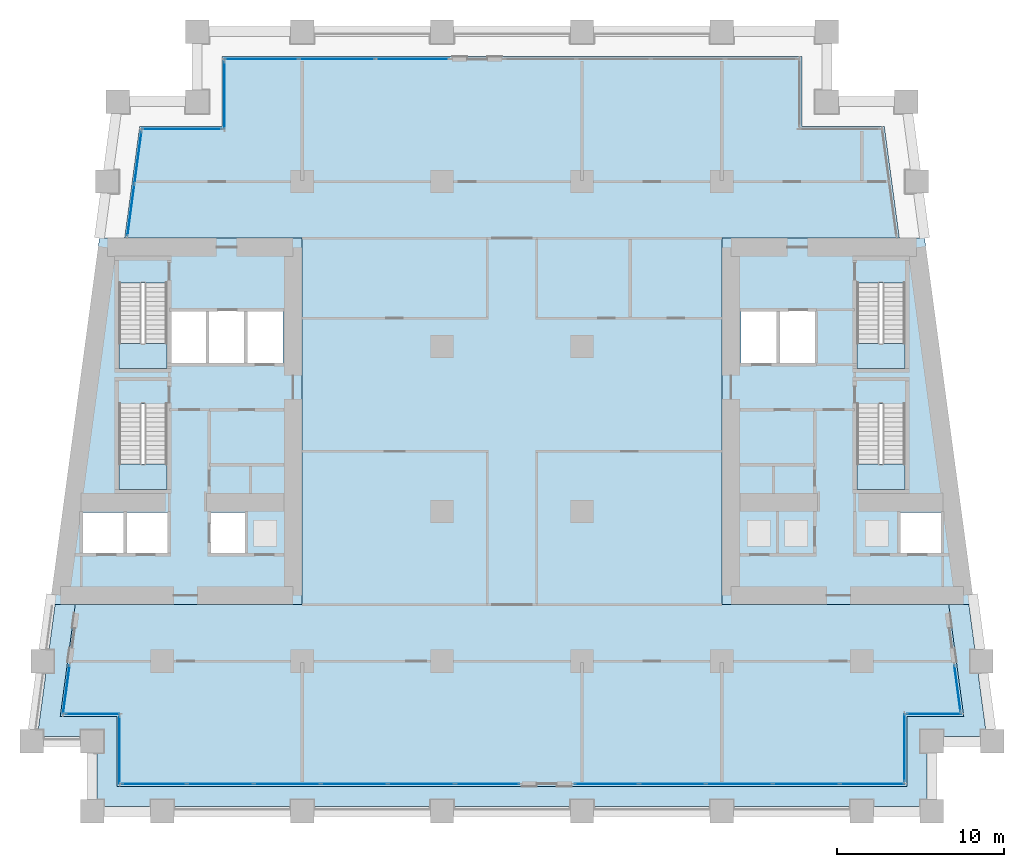
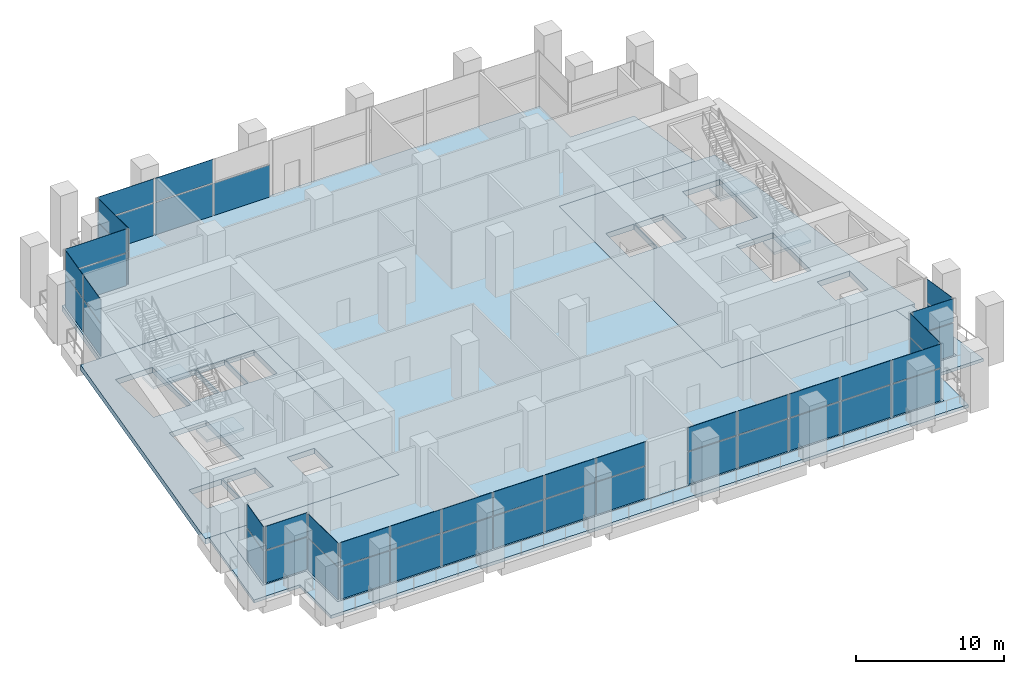
# One storey, part 6 of 15: 47 plates, 8 slabs, 16 elements without a shape of their own.
"""IFC4 building model written with IfcOpenShell, lengths in metres."""

from ifc_helpers import new_model, si_unit, direction, frame, origin, origin_2d, place, context, subcontext, project, spatial, polyline, rectangle, outline, extrude, material, layer, layer_set, type_object, element, aggregate, save


model = new_model("IFC4")

# Units and contexts
model_context = context("Model", 3, precision=1e-05, world=origin(), true_north=direction((0.0, 1.0)))
body_context = subcontext(model_context, "Body", "Model", "MODEL_VIEW")
ifc_project = project(units=[si_unit("LENGTHUNIT", "METRE"), si_unit("AREAUNIT", "SQUARE_METRE"), si_unit("VOLUMEUNIT", "CUBIC_METRE"), si_unit("PLANEANGLEUNIT", "RADIAN"), si_unit("MASSUNIT", "GRAM", prefix="KILO")], contexts=[model_context])

# Site, building, storey
site_placement = place(None, origin())
site = spatial("IfcSite", under=ifc_project, at=site_placement, CompositionType="ELEMENT")
building_placement = place(site_placement, origin())
building = spatial("IfcBuilding", under=site, at=building_placement, Name="Candeia Pilgrim Tower and Theatre", CompositionType="ELEMENT")
storey_placement = place(building_placement, frame((0.0, 0.0, 86.0)))
storey = spatial("IfcBuildingStorey", under=building, at=storey_placement, Name="L19", CompositionType="ELEMENT", Elevation=86.0)

# Curtain wall, plates
ifc_material_1 = material(Name="Aluminium framed sky lobby glazing", Category="aluminium")
curtain_wall_type = type_object("IfcCurtainWallType", Name="CW-S curtain wall", PredefinedType="NOTDEFINED", material=ifc_material_1)
curtain_wall_1_placement = place(storey_placement, origin())
curtain_wall_1 = element("IfcCurtainWall", 1, at=curtain_wall_1_placement, inside=storey, type_object=curtain_wall_type, Name="Curtain wall CW-S L19.000", PredefinedType="NOTDEFINED")
ifc_material_2 = material(Name="Laminated glass 2 x 6 mm", Category="glass")
ifc_layer_1 = layer(ifc_material_2, 0.031982421875)
ifc_layer_set_1 = layer_set([ifc_layer_1], Name="CW-S glass panel 32")
plate_type = type_object("IfcPlateType", Name="CW-S glass panel 32", PredefinedType="CURTAIN_PANEL", material=ifc_layer_set_1)
plate_1_placement = place(storey_placement, frame((91.925048828125, 99.64990234375, 0.0), z_axis=(0.0, 0.0, 1.0), x_axis=(1.0, 0.0, 0.0)))
plate_1 = element("IfcPlate", 2, at=plate_1_placement, type_object=plate_type, Name="CW-S panel 1.1", PredefinedType="CURTAIN_PANEL", context=body_context, shape_type="SweptSolid", body=[
    extrude(rectangle(XDim=3.820068359375, YDim=0.031982421875, at=origin_2d()), origin(), (0.0, 0.0, 1.0), 2.659912109375),
])
plate_2_placement = place(storey_placement, frame((91.925048828125, 99.64990234375, 2.739990234375), z_axis=(0.0, 0.0, 1.0), x_axis=(1.0, 0.0, 0.0)))
plate_2 = element("IfcPlate", 3, at=plate_2_placement, type_object=plate_type, Name="CW-S panel 1.2", PredefinedType="CURTAIN_PANEL", context=body_context, shape_type="SweptSolid", body=[
    extrude(rectangle(XDim=3.820068359375, YDim=0.031982421875, at=origin_2d()), origin(), (0.0, 0.0, 1.0), 1.93994140625),
])
plate_3_placement = place(storey_placement, frame((95.887451171875, 99.64990234375, 0.0), z_axis=(0.0, 0.0, 1.0), x_axis=(1.0, 0.0, 0.0)))
plate_3 = element("IfcPlate", 4, at=plate_3_placement, type_object=plate_type, Name="CW-S panel 2.1", PredefinedType="CURTAIN_PANEL", context=body_context, shape_type="SweptSolid", body=[
    extrude(rectangle(XDim=3.945068359375, YDim=0.031982421875, at=origin_2d()), origin(), (0.0, 0.0, 1.0), 2.659912109375),
])
plate_4_placement = place(storey_placement, frame((95.887451171875, 99.64990234375, 2.739990234375), z_axis=(0.0, 0.0, 1.0), x_axis=(1.0, 0.0, 0.0)))
plate_4 = element("IfcPlate", 5, at=plate_4_placement, type_object=plate_type, Name="CW-S panel 2.2", PredefinedType="CURTAIN_PANEL", context=body_context, shape_type="SweptSolid", body=[
    extrude(rectangle(XDim=3.945068359375, YDim=0.031982421875, at=origin_2d()), origin(), (0.0, 0.0, 1.0), 1.93994140625),
])
plate_5_placement = place(storey_placement, frame((99.91259765625, 99.64990234375, 0.0), z_axis=(0.0, 0.0, 1.0), x_axis=(1.0, 0.0, 0.0)))
plate_5 = element("IfcPlate", 6, at=plate_5_placement, type_object=plate_type, Name="CW-S panel 3.1", PredefinedType="CURTAIN_PANEL", context=body_context, shape_type="SweptSolid", body=[
    extrude(rectangle(XDim=3.945068359375, YDim=0.031982421875, at=origin_2d()), origin(), (0.0, 0.0, 1.0), 2.659912109375),
])
plate_6_placement = place(storey_placement, frame((99.91259765625, 99.64990234375, 2.739990234375), z_axis=(0.0, 0.0, 1.0), x_axis=(1.0, 0.0, 0.0)))
plate_6 = element("IfcPlate", 7, at=plate_6_placement, type_object=plate_type, Name="CW-S panel 3.2", PredefinedType="CURTAIN_PANEL", context=body_context, shape_type="SweptSolid", body=[
    extrude(rectangle(XDim=3.945068359375, YDim=0.031982421875, at=origin_2d()), origin(), (0.0, 0.0, 1.0), 1.93994140625),
])
plate_7_placement = place(storey_placement, frame((103.9375, 99.64990234375, 0.0), z_axis=(0.0, 0.0, 1.0), x_axis=(1.0, 0.0, 0.0)))
plate_7 = element("IfcPlate", 8, at=plate_7_placement, type_object=plate_type, Name="CW-S panel 4.1", PredefinedType="CURTAIN_PANEL", context=body_context, shape_type="SweptSolid", body=[
    extrude(rectangle(XDim=3.945068359375, YDim=0.031982421875, at=origin_2d()), origin(), (0.0, 0.0, 1.0), 2.659912109375),
])
plate_8_placement = place(storey_placement, frame((103.9375, 99.64990234375, 2.739990234375), z_axis=(0.0, 0.0, 1.0), x_axis=(1.0, 0.0, 0.0)))
plate_8 = element("IfcPlate", 9, at=plate_8_placement, type_object=plate_type, Name="CW-S panel 4.2", PredefinedType="CURTAIN_PANEL", context=body_context, shape_type="SweptSolid", body=[
    extrude(rectangle(XDim=3.945068359375, YDim=0.031982421875, at=origin_2d()), origin(), (0.0, 0.0, 1.0), 1.93994140625),
])
plate_9_placement = place(storey_placement, frame((107.96240234375, 99.64990234375, 0.0), z_axis=(0.0, 0.0, 1.0), x_axis=(1.0, 0.0, 0.0)))
plate_9 = element("IfcPlate", 10, at=plate_9_placement, type_object=plate_type, Name="CW-S panel 5.1", PredefinedType="CURTAIN_PANEL", context=body_context, shape_type="SweptSolid", body=[
    extrude(rectangle(XDim=3.945068359375, YDim=0.031982421875, at=origin_2d()), origin(), (0.0, 0.0, 1.0), 2.659912109375),
])
plate_10_placement = place(storey_placement, frame((107.96240234375, 99.64990234375, 2.739990234375), z_axis=(0.0, 0.0, 1.0), x_axis=(1.0, 0.0, 0.0)))
plate_10 = element("IfcPlate", 11, at=plate_10_placement, type_object=plate_type, Name="CW-S panel 5.2", PredefinedType="CURTAIN_PANEL", context=body_context, shape_type="SweptSolid", body=[
    extrude(rectangle(XDim=3.945068359375, YDim=0.031982421875, at=origin_2d()), origin(), (0.0, 0.0, 1.0), 1.93994140625),
])
plate_11_placement = place(storey_placement, frame((111.925048828125, 99.64990234375, 0.0), z_axis=(0.0, 0.0, 1.0), x_axis=(1.0, 0.0, 0.0)))
plate_11 = element("IfcPlate", 12, at=plate_11_placement, type_object=plate_type, Name="CW-S panel 6.1", PredefinedType="CURTAIN_PANEL", context=body_context, shape_type="SweptSolid", body=[
    extrude(rectangle(XDim=3.820068359375, YDim=0.031982421875, at=origin_2d()), origin(), (0.0, 0.0, 1.0), 2.659912109375),
])
plate_12_placement = place(storey_placement, frame((111.925048828125, 99.64990234375, 2.739990234375), z_axis=(0.0, 0.0, 1.0), x_axis=(1.0, 0.0, 0.0)))
plate_12 = element("IfcPlate", 13, at=plate_12_placement, type_object=plate_type, Name="CW-S panel 6.2", PredefinedType="CURTAIN_PANEL", context=body_context, shape_type="SweptSolid", body=[
    extrude(rectangle(XDim=3.820068359375, YDim=0.031982421875, at=origin_2d()), origin(), (0.0, 0.0, 1.0), 1.93994140625),
])
aggregate(curtain_wall_1, [plate_1, plate_2, plate_3, plate_4, plate_5, plate_6, plate_7, plate_8, plate_9, plate_10, plate_11, plate_12])

curtain_wall_2_placement = place(storey_placement, origin())
curtain_wall_2 = element("IfcCurtainWall", 14, at=curtain_wall_2_placement, inside=storey, type_object=curtain_wall_type, Name="Curtain wall CW-S L19.002", PredefinedType="NOTDEFINED")
plate_13_placement = place(storey_placement, frame((119.072509765625, 99.64990234375, 0.0), z_axis=(0.0, 0.0, 1.0), x_axis=(1.0, 0.0, 0.0)))
plate_13 = element("IfcPlate", 15, at=plate_13_placement, type_object=plate_type, Name="CW-S panel 1.1", PredefinedType="CURTAIN_PANEL", context=body_context, shape_type="SweptSolid", body=[
    extrude(rectangle(XDim=3.81494140625, YDim=0.031982421875, at=origin_2d()), origin(), (0.0, 0.0, 1.0), 2.659912109375),
])
plate_14_placement = place(storey_placement, frame((119.072509765625, 99.64990234375, 2.739990234375), z_axis=(0.0, 0.0, 1.0), x_axis=(1.0, 0.0, 0.0)))
plate_14 = element("IfcPlate", 16, at=plate_14_placement, type_object=plate_type, Name="CW-S panel 1.2", PredefinedType="CURTAIN_PANEL", context=body_context, shape_type="SweptSolid", body=[
    extrude(rectangle(XDim=3.81494140625, YDim=0.031982421875, at=origin_2d()), origin(), (0.0, 0.0, 1.0), 1.93994140625),
])
plate_15_placement = place(storey_placement, frame((123.030029296875, 99.64990234375, 0.0), z_axis=(0.0, 0.0, 1.0), x_axis=(1.0, 0.0, 0.0)))
plate_15 = element("IfcPlate", 17, at=plate_15_placement, type_object=plate_type, Name="CW-S panel 2.1", PredefinedType="CURTAIN_PANEL", context=body_context, shape_type="SweptSolid", body=[
    extrude(rectangle(XDim=3.93994140625, YDim=0.031982421875, at=origin_2d()), origin(), (0.0, 0.0, 1.0), 2.659912109375),
])
plate_16_placement = place(storey_placement, frame((123.030029296875, 99.64990234375, 2.739990234375), z_axis=(0.0, 0.0, 1.0), x_axis=(1.0, 0.0, 0.0)))
plate_16 = element("IfcPlate", 18, at=plate_16_placement, type_object=plate_type, Name="CW-S panel 2.2", PredefinedType="CURTAIN_PANEL", context=body_context, shape_type="SweptSolid", body=[
    extrude(rectangle(XDim=3.93994140625, YDim=0.031982421875, at=origin_2d()), origin(), (0.0, 0.0, 1.0), 1.93994140625),
])
plate_17_placement = place(storey_placement, frame((127.050048828125, 99.64990234375, 0.0), z_axis=(0.0, 0.0, 1.0), x_axis=(1.0, 0.0, 0.0)))
plate_17 = element("IfcPlate", 19, at=plate_17_placement, type_object=plate_type, Name="CW-S panel 3.1", PredefinedType="CURTAIN_PANEL", context=body_context, shape_type="SweptSolid", body=[
    extrude(rectangle(XDim=3.93994140625, YDim=0.031982421875, at=origin_2d()), origin(), (0.0, 0.0, 1.0), 2.659912109375),
])
plate_18_placement = place(storey_placement, frame((127.050048828125, 99.64990234375, 2.739990234375), z_axis=(0.0, 0.0, 1.0), x_axis=(1.0, 0.0, 0.0)))
plate_18 = element("IfcPlate", 20, at=plate_18_placement, type_object=plate_type, Name="CW-S panel 3.2", PredefinedType="CURTAIN_PANEL", context=body_context, shape_type="SweptSolid", body=[
    extrude(rectangle(XDim=3.93994140625, YDim=0.031982421875, at=origin_2d()), origin(), (0.0, 0.0, 1.0), 1.93994140625),
])
plate_19_placement = place(storey_placement, frame((131.070068359375, 99.64990234375, 0.0), z_axis=(0.0, 0.0, 1.0), x_axis=(1.0, 0.0, 0.0)))
plate_19 = element("IfcPlate", 21, at=plate_19_placement, type_object=plate_type, Name="CW-S panel 4.1", PredefinedType="CURTAIN_PANEL", context=body_context, shape_type="SweptSolid", body=[
    extrude(rectangle(XDim=3.93994140625, YDim=0.031982421875, at=origin_2d()), origin(), (0.0, 0.0, 1.0), 2.659912109375),
])
plate_20_placement = place(storey_placement, frame((131.070068359375, 99.64990234375, 2.739990234375), z_axis=(0.0, 0.0, 1.0), x_axis=(1.0, 0.0, 0.0)))
plate_20 = element("IfcPlate", 22, at=plate_20_placement, type_object=plate_type, Name="CW-S panel 4.2", PredefinedType="CURTAIN_PANEL", context=body_context, shape_type="SweptSolid", body=[
    extrude(rectangle(XDim=3.93994140625, YDim=0.031982421875, at=origin_2d()), origin(), (0.0, 0.0, 1.0), 1.93994140625),
])
plate_21_placement = place(storey_placement, frame((135.027587890625, 99.64990234375, 0.0), z_axis=(0.0, 0.0, 1.0), x_axis=(1.0, 0.0, 0.0)))
plate_21 = element("IfcPlate", 23, at=plate_21_placement, type_object=plate_type, Name="CW-S panel 5.1", PredefinedType="CURTAIN_PANEL", context=body_context, shape_type="SweptSolid", body=[
    extrude(rectangle(XDim=3.81494140625, YDim=0.031982421875, at=origin_2d()), origin(), (0.0, 0.0, 1.0), 2.659912109375),
])
plate_22_placement = place(storey_placement, frame((135.027587890625, 99.64990234375, 2.739990234375), z_axis=(0.0, 0.0, 1.0), x_axis=(1.0, 0.0, 0.0)))
plate_22 = element("IfcPlate", 24, at=plate_22_placement, type_object=plate_type, Name="CW-S panel 5.2", PredefinedType="CURTAIN_PANEL", context=body_context, shape_type="SweptSolid", body=[
    extrude(rectangle(XDim=3.81494140625, YDim=0.031982421875, at=origin_2d()), origin(), (0.0, 0.0, 1.0), 1.93994140625),
])
aggregate(curtain_wall_2, [plate_13, plate_14, plate_15, plate_16, plate_17, plate_18, plate_19, plate_20, plate_21, plate_22])

curtain_wall_3_placement = place(storey_placement, origin())
curtain_wall_3 = element("IfcCurtainWall", 25, at=curtain_wall_3_placement, inside=storey, type_object=curtain_wall_type, Name="Curtain wall CW-S L19.100", PredefinedType="NOTDEFINED")
plate_23_placement = place(storey_placement, frame((136.949951171875, 101.824951171875, 0.0), z_axis=(0.0, 0.0, 1.0), x_axis=(0.0, 1.0, 0.0)))
plate_23 = element("IfcPlate", 26, at=plate_23_placement, type_object=plate_type, Name="CW-S panel 1.1", PredefinedType="CURTAIN_PANEL", context=body_context, shape_type="SweptSolid", body=[
    extrude(rectangle(XDim=4.02001953125, YDim=0.031982421875, at=origin_2d()), origin(), (0.0, 0.0, 1.0), 2.659912109375),
])
plate_24_placement = place(storey_placement, frame((136.949951171875, 101.824951171875, 2.739990234375), z_axis=(0.0, 0.0, 1.0), x_axis=(0.0, 1.0, 0.0)))
plate_24 = element("IfcPlate", 27, at=plate_24_placement, type_object=plate_type, Name="CW-S panel 1.2", PredefinedType="CURTAIN_PANEL", context=body_context, shape_type="SweptSolid", body=[
    extrude(rectangle(XDim=4.02001953125, YDim=0.031982421875, at=origin_2d()), origin(), (0.0, 0.0, 1.0), 1.93994140625),
])
aggregate(curtain_wall_3, [plate_23, plate_24])

curtain_wall_4_placement = place(storey_placement, origin())
curtain_wall_4 = element("IfcCurtainWall", 28, at=curtain_wall_4_placement, inside=storey, type_object=curtain_wall_type, Name="Curtain wall CW-S L19.200", PredefinedType="NOTDEFINED")
plate_25_placement = place(storey_placement, frame((138.734619140625, 103.85009765625, 0.0), z_axis=(0.0, 0.0, 1.0), x_axis=(1.0, 0.0, 0.0)))
plate_25 = element("IfcPlate", 29, at=plate_25_placement, type_object=plate_type, Name="CW-S panel 1.1", PredefinedType="CURTAIN_PANEL", context=body_context, shape_type="SweptSolid", body=[
    extrude(rectangle(XDim=3.2392578125, YDim=0.031982421875, at=origin_2d()), origin(), (0.0, 0.0, 1.0), 2.659912109375),
])
plate_26_placement = place(storey_placement, frame((138.734619140625, 103.85009765625, 2.739990234375), z_axis=(0.0, 0.0, 1.0), x_axis=(1.0, 0.0, 0.0)))
plate_26 = element("IfcPlate", 30, at=plate_26_placement, type_object=plate_type, Name="CW-S panel 1.2", PredefinedType="CURTAIN_PANEL", context=body_context, shape_type="SweptSolid", body=[
    extrude(rectangle(XDim=3.2392578125, YDim=0.031982421875, at=origin_2d()), origin(), (0.0, 0.0, 1.0), 1.93994140625),
])
aggregate(curtain_wall_4, [plate_25, plate_26])

curtain_wall_5_placement = place(storey_placement, origin())
curtain_wall_5 = element("IfcCurtainWall", 31, at=curtain_wall_5_placement, inside=storey, type_object=curtain_wall_type, Name="Curtain wall CW-S L19.300", PredefinedType="NOTDEFINED")
plate_27_placement = place(storey_placement, frame((140.141357421875, 105.381591796875, 0.0), z_axis=(0.0, 0.0, 1.0), x_axis=(-0.133412012145, 0.991060661622, 0.0)))
plate_27 = element("IfcPlate", 32, at=plate_27_placement, type_object=plate_type, Name="CW-S panel 1.1", PredefinedType="CURTAIN_PANEL", context=body_context, shape_type="SweptSolid", body=[
    extrude(rectangle(XDim=2.760986328125, YDim=0.031982421875, at=origin_2d()), origin(), (0.0, 0.0, 1.0), 2.659912109375),
])
plate_28_placement = place(storey_placement, frame((140.141357421875, 105.381591796875, 2.739990234375), z_axis=(0.0, 0.0, 1.0), x_axis=(-0.133412012145, 0.991060661622, 0.0)))
plate_28 = element("IfcPlate", 33, at=plate_28_placement, type_object=plate_type, Name="CW-S panel 1.2", PredefinedType="CURTAIN_PANEL", context=body_context, shape_type="SweptSolid", body=[
    extrude(rectangle(XDim=2.760986328125, YDim=0.031982421875, at=origin_2d()), origin(), (0.0, 0.0, 1.0), 1.93994140625),
])
aggregate(curtain_wall_5, [plate_27, plate_28])

curtain_wall_6_placement = place(storey_placement, origin())
curtain_wall_6 = element("IfcCurtainWall", 34, at=curtain_wall_6_placement, inside=storey, type_object=curtain_wall_type, Name="Curtain wall CW-S L19.602", PredefinedType="NOTDEFINED")
plate_29_placement = place(storey_placement, frame((107.4375, 143.14990234375, 0.0), z_axis=(0.0, 0.0, 1.0), x_axis=(-1.0, 0.0, 0.0)))
plate_29 = element("IfcPlate", 35, at=plate_29_placement, type_object=plate_type, Name="CW-S panel 1.1", PredefinedType="CURTAIN_PANEL", context=body_context, shape_type="SweptSolid", body=[
    extrude(rectangle(XDim=4.39501953125, YDim=0.031982421875, at=origin_2d()), origin(), (0.0, 0.0, 1.0), 2.659912109375),
])
plate_30_placement = place(storey_placement, frame((102.89990234375, 143.14990234375, 0.0), z_axis=(0.0, 0.0, 1.0), x_axis=(-1.0, 0.0, 0.0)))
plate_30 = element("IfcPlate", 36, at=plate_30_placement, type_object=plate_type, Name="CW-S panel 2.1", PredefinedType="CURTAIN_PANEL", context=body_context, shape_type="SweptSolid", body=[
    extrude(rectangle(XDim=4.52001953125, YDim=0.031982421875, at=origin_2d()), origin(), (0.0, 0.0, 1.0), 2.659912109375),
])
plate_31_placement = place(storey_placement, frame((102.89990234375, 143.14990234375, 2.739990234375), z_axis=(0.0, 0.0, 1.0), x_axis=(-1.0, 0.0, 0.0)))
plate_31 = element("IfcPlate", 37, at=plate_31_placement, type_object=plate_type, Name="CW-S panel 2.2", PredefinedType="CURTAIN_PANEL", context=body_context, shape_type="SweptSolid", body=[
    extrude(rectangle(XDim=4.52001953125, YDim=0.031982421875, at=origin_2d()), origin(), (0.0, 0.0, 1.0), 1.93994140625),
])
plate_32_placement = place(storey_placement, frame((98.362548828125, 143.14990234375, 0.0), z_axis=(0.0, 0.0, 1.0), x_axis=(-1.0, 0.0, 0.0)))
plate_32 = element("IfcPlate", 38, at=plate_32_placement, type_object=plate_type, Name="CW-S panel 3.1", PredefinedType="CURTAIN_PANEL", context=body_context, shape_type="SweptSolid", body=[
    extrude(rectangle(XDim=4.39501953125, YDim=0.031982421875, at=origin_2d()), origin(), (0.0, 0.0, 1.0), 2.659912109375),
])
plate_33_placement = place(storey_placement, frame((98.362548828125, 143.14990234375, 2.739990234375), z_axis=(0.0, 0.0, 1.0), x_axis=(-1.0, 0.0, 0.0)))
plate_33 = element("IfcPlate", 39, at=plate_33_placement, type_object=plate_type, Name="CW-S panel 3.2", PredefinedType="CURTAIN_PANEL", context=body_context, shape_type="SweptSolid", body=[
    extrude(rectangle(XDim=4.39501953125, YDim=0.031982421875, at=origin_2d()), origin(), (0.0, 0.0, 1.0), 1.93994140625),
])
aggregate(curtain_wall_6, [plate_29, plate_30, plate_31, plate_32, plate_33])

curtain_wall_7_placement = place(storey_placement, origin())
curtain_wall_7 = element("IfcCurtainWall", 40, at=curtain_wall_7_placement, inside=storey, type_object=curtain_wall_type, Name="Curtain wall CW-S L19.700", PredefinedType="NOTDEFINED")
plate_34_placement = place(storey_placement, frame((96.14990234375, 140.97509765625, 0.0), z_axis=(0.0, 0.0, 1.0), x_axis=(0.0, -1.0, 0.0)))
plate_34 = element("IfcPlate", 41, at=plate_34_placement, type_object=plate_type, Name="CW-S panel 1.1", PredefinedType="CURTAIN_PANEL", context=body_context, shape_type="SweptSolid", body=[
    extrude(rectangle(XDim=4.02001953125, YDim=0.031982421875, at=origin_2d()), origin(), (0.0, 0.0, 1.0), 2.659912109375),
])
plate_35_placement = place(storey_placement, frame((96.14990234375, 140.97509765625, 2.739990234375), z_axis=(0.0, 0.0, 1.0), x_axis=(0.0, -1.0, 0.0)))
plate_35 = element("IfcPlate", 42, at=plate_35_placement, type_object=plate_type, Name="CW-S panel 1.2", PredefinedType="CURTAIN_PANEL", context=body_context, shape_type="SweptSolid", body=[
    extrude(rectangle(XDim=4.02001953125, YDim=0.031982421875, at=origin_2d()), origin(), (0.0, 0.0, 1.0), 1.93994140625),
])
aggregate(curtain_wall_7, [plate_34, plate_35])

curtain_wall_8_placement = place(storey_placement, origin())
curtain_wall_8 = element("IfcCurtainWall", 43, at=curtain_wall_8_placement, inside=storey, type_object=curtain_wall_type, Name="Curtain wall CW-S L19.800", PredefinedType="NOTDEFINED")
plate_36_placement = place(storey_placement, frame((93.59814453125, 138.949951171875, 0.0), z_axis=(0.0, 0.0, 1.0), x_axis=(-1.0, 0.0, 0.0)))
plate_36 = element("IfcPlate", 44, at=plate_36_placement, type_object=plate_type, Name="CW-S panel 1.1", PredefinedType="CURTAIN_PANEL", context=body_context, shape_type="SweptSolid", body=[
    extrude(rectangle(XDim=4.773681640625, YDim=0.031982421875, at=origin_2d()), origin(), (0.0, 0.0, 1.0), 2.659912109375),
])
plate_37_placement = place(storey_placement, frame((93.59814453125, 138.949951171875, 2.739990234375), z_axis=(0.0, 0.0, 1.0), x_axis=(-1.0, 0.0, 0.0)))
plate_37 = element("IfcPlate", 45, at=plate_37_placement, type_object=plate_type, Name="CW-S panel 1.2", PredefinedType="CURTAIN_PANEL", context=body_context, shape_type="SweptSolid", body=[
    extrude(rectangle(XDim=4.773681640625, YDim=0.031982421875, at=origin_2d()), origin(), (0.0, 0.0, 1.0), 1.93994140625),
])
aggregate(curtain_wall_8, [plate_36, plate_37])

curtain_wall_9_placement = place(storey_placement, origin())
curtain_wall_9 = element("IfcCurtainWall", 46, at=curtain_wall_9_placement, inside=storey, type_object=curtain_wall_type, Name="Curtain wall CW-S L19.900", PredefinedType="NOTDEFINED")
plate_38_placement = place(storey_placement, frame((90.94873046875, 137.25048828125, 0.0), z_axis=(0.0, 0.0, 1.0), x_axis=(-0.133412012145, -0.991060661622, 0.0)))
plate_38 = element("IfcPlate", 47, at=plate_38_placement, type_object=plate_type, Name="CW-S panel 1.1", PredefinedType="CURTAIN_PANEL", context=body_context, shape_type="SweptSolid", body=[
    extrude(rectangle(XDim=3.099609375, YDim=0.031982421875, at=origin_2d()), origin(), (0.0, 0.0, 1.0), 2.659912109375),
])
plate_39_placement = place(storey_placement, frame((90.94873046875, 137.25048828125, 2.739990234375), z_axis=(0.0, 0.0, 1.0), x_axis=(-0.133412012145, -0.991060661622, 0.0)))
plate_39 = element("IfcPlate", 48, at=plate_39_placement, type_object=plate_type, Name="CW-S panel 1.2", PredefinedType="CURTAIN_PANEL", context=body_context, shape_type="SweptSolid", body=[
    extrude(rectangle(XDim=3.099609375, YDim=0.031982421875, at=origin_2d()), origin(), (0.0, 0.0, 1.0), 1.93994140625),
])
plate_40_placement = place(storey_placement, frame((90.5244140625, 134.099365234375, 0.0), z_axis=(0.0, 0.0, 1.0), x_axis=(-0.133412012145, -0.991060661622, 0.0)))
plate_40 = element("IfcPlate", 49, at=plate_40_placement, type_object=plate_type, Name="CW-S panel 2.1", PredefinedType="CURTAIN_PANEL", context=body_context, shape_type="SweptSolid", body=[
    extrude(rectangle(XDim=3.099609375, YDim=0.031982421875, at=origin_2d()), origin(), (0.0, 0.0, 1.0), 2.659912109375),
])
plate_41_placement = place(storey_placement, frame((90.5244140625, 134.099365234375, 2.739990234375), z_axis=(0.0, 0.0, 1.0), x_axis=(-0.133412012145, -0.991060661622, 0.0)))
plate_41 = element("IfcPlate", 50, at=plate_41_placement, type_object=plate_type, Name="CW-S panel 2.2", PredefinedType="CURTAIN_PANEL", context=body_context, shape_type="SweptSolid", body=[
    extrude(rectangle(XDim=3.099609375, YDim=0.031982421875, at=origin_2d()), origin(), (0.0, 0.0, 1.0), 1.93994140625),
])
aggregate(curtain_wall_9, [plate_38, plate_39, plate_40, plate_41])

curtain_wall_10_placement = place(storey_placement, origin())
curtain_wall_10 = element("IfcCurtainWall", 51, at=curtain_wall_10_placement, inside=storey, type_object=curtain_wall_type, Name="Curtain wall CW-S L19.911", PredefinedType="NOTDEFINED")
plate_42_placement = place(storey_placement, frame((86.647216796875, 105.296630859375, 0.0), z_axis=(0.0, 0.0, 1.0), x_axis=(-0.133412012145, -0.991060661622, 0.0)))
plate_42 = element("IfcPlate", 52, at=plate_42_placement, type_object=plate_type, Name="CW-S panel 1.1", PredefinedType="CURTAIN_PANEL", context=body_context, shape_type="SweptSolid", body=[
    extrude(rectangle(XDim=2.9326171875, YDim=0.031982421875, at=origin_2d()), origin(), (0.0, 0.0, 1.0), 2.659912109375),
])
plate_43_placement = place(storey_placement, frame((86.647216796875, 105.296630859375, 2.739990234375), z_axis=(0.0, 0.0, 1.0), x_axis=(-0.133412012145, -0.991060661622, 0.0)))
plate_43 = element("IfcPlate", 53, at=plate_43_placement, type_object=plate_type, Name="CW-S panel 1.2", PredefinedType="CURTAIN_PANEL", context=body_context, shape_type="SweptSolid", body=[
    extrude(rectangle(XDim=2.9326171875, YDim=0.031982421875, at=origin_2d()), origin(), (0.0, 0.0, 1.0), 1.93994140625),
])
aggregate(curtain_wall_10, [plate_42, plate_43])

curtain_wall_11_placement = place(storey_placement, origin())
curtain_wall_11 = element("IfcCurtainWall", 54, at=curtain_wall_11_placement, inside=storey, type_object=curtain_wall_type, Name="Curtain wall CW-S L19.1000", PredefinedType="NOTDEFINED")
plate_44_placement = place(storey_placement, frame((88.22607421875, 103.85009765625, 0.0), z_axis=(0.0, 0.0, 1.0), x_axis=(1.0, 0.0, 0.0)))
plate_44 = element("IfcPlate", 55, at=plate_44_placement, type_object=plate_type, Name="CW-S panel 1.1", PredefinedType="CURTAIN_PANEL", context=body_context, shape_type="SweptSolid", body=[
    extrude(rectangle(XDim=3.217529296875, YDim=0.031982421875, at=origin_2d()), origin(), (0.0, 0.0, 1.0), 2.659912109375),
])
plate_45_placement = place(storey_placement, frame((88.22607421875, 103.85009765625, 2.739990234375), z_axis=(0.0, 0.0, 1.0), x_axis=(1.0, 0.0, 0.0)))
plate_45 = element("IfcPlate", 56, at=plate_45_placement, type_object=plate_type, Name="CW-S panel 1.2", PredefinedType="CURTAIN_PANEL", context=body_context, shape_type="SweptSolid", body=[
    extrude(rectangle(XDim=3.217529296875, YDim=0.031982421875, at=origin_2d()), origin(), (0.0, 0.0, 1.0), 1.93994140625),
])
aggregate(curtain_wall_11, [plate_44, plate_45])

curtain_wall_12_placement = place(storey_placement, origin())
curtain_wall_12 = element("IfcCurtainWall", 57, at=curtain_wall_12_placement, inside=storey, type_object=curtain_wall_type, Name="Curtain wall CW-S L19.1100", PredefinedType="NOTDEFINED")
plate_46_placement = place(storey_placement, frame((89.85009765625, 101.675048828125, 0.0), z_axis=(0.0, 0.0, 1.0), x_axis=(0.0, -1.0, 0.0)))
plate_46 = element("IfcPlate", 58, at=plate_46_placement, type_object=plate_type, Name="CW-S panel 1.1", PredefinedType="CURTAIN_PANEL", context=body_context, shape_type="SweptSolid", body=[
    extrude(rectangle(XDim=4.02001953125, YDim=0.031982421875, at=origin_2d()), origin(), (0.0, 0.0, 1.0), 2.659912109375),
])
plate_47_placement = place(storey_placement, frame((89.85009765625, 101.675048828125, 2.739990234375), z_axis=(0.0, 0.0, 1.0), x_axis=(0.0, -1.0, 0.0)))
plate_47 = element("IfcPlate", 59, at=plate_47_placement, type_object=plate_type, Name="CW-S panel 1.2", PredefinedType="CURTAIN_PANEL", context=body_context, shape_type="SweptSolid", body=[
    extrude(rectangle(XDim=4.02001953125, YDim=0.031982421875, at=origin_2d()), origin(), (0.0, 0.0, 1.0), 1.93994140625),
])
aggregate(curtain_wall_12, [plate_46, plate_47])

# Slabs
ifc_material_3 = material(Name="Concrete C60/75", Category="concrete")
ifc_layer_2 = layer(ifc_material_3, 0.449951171875)
ifc_layer_set_2 = layer_set([ifc_layer_2], Name="FS-CORE 450 core floor")
slab_type_1 = type_object("IfcSlabType", Name="FS-CORE 450 core floor", PredefinedType="FLOOR", material=ifc_layer_set_2)
slab_1_placement = place(storey_placement, frame((0.0, 0.0, -0.449951171875)))
element("IfcSlab", 60, at=slab_1_placement, inside=storey, type_object=slab_type_1, Name="Core floor W L19", PredefinedType="FLOOR", context=body_context, shape_type="SweptSolid", body=[
    extrude(outline(polyline([(100.800048828125, 132.39990234375), (100.800048828125, 110.39990234375), (85.669189453125, 110.39990234375), (88.630859375, 132.39990234375), (100.800048828125, 132.39990234375)]), holes=[polyline([(97.458984375, 128.050048828125), (97.458984375, 124.85009765625), (99.64990234375, 124.85009765625), (99.64990234375, 128.050048828125), (97.458984375, 128.050048828125)]), polyline([(95.277099609375, 115.949951171875), (95.277099609375, 113.449951171875), (97.41357421875, 113.449951171875), (97.41357421875, 115.949951171875), (95.277099609375, 115.949951171875)]), polyline([(95.16796875, 128.050048828125), (95.16796875, 124.85009765625), (97.35888671875, 124.85009765625), (97.35888671875, 128.050048828125), (95.16796875, 128.050048828125)]), polyline([(92.876953125, 128.050048828125), (92.876953125, 124.85009765625), (95.068115234375, 124.85009765625), (95.068115234375, 128.050048828125), (92.876953125, 128.050048828125)]), polyline([(90.228515625, 115.949951171875), (90.228515625, 113.449951171875), (92.777099609375, 113.449951171875), (92.777099609375, 115.949951171875), (90.228515625, 115.949951171875)]), polyline([(89.802001953125, 122.455078125), (89.802001953125, 117.324951171875), (92.701904296875, 117.324951171875), (92.701904296875, 122.455078125), (89.802001953125, 122.455078125)]), polyline([(89.802001953125, 129.705078125), (89.802001953125, 124.574951171875), (92.701904296875, 124.574951171875), (92.701904296875, 129.705078125), (89.802001953125, 129.705078125)]), polyline([(87.580078125, 115.949951171875), (87.580078125, 113.449951171875), (90.12841796875, 113.449951171875), (90.12841796875, 115.949951171875), (87.580078125, 115.949951171875)])]), origin(), (0.0, 0.0, 1.0), 0.449951171875),
])
slab_2_placement = place(storey_placement, frame((0.0, 0.0, -0.449951171875)))
element("IfcSlab", 61, at=slab_2_placement, inside=storey, type_object=slab_type_1, Name="Core floor E L19", PredefinedType="FLOOR", context=body_context, shape_type="SweptSolid", body=[
    extrude(outline(polyline([(138.169189453125, 132.39990234375), (141.130859375, 110.39990234375), (126.0, 110.39990234375), (126.0, 132.39990234375), (138.169189453125, 132.39990234375)]), holes=[polyline([(136.67138671875, 115.949951171875), (136.67138671875, 113.449951171875), (139.219970703125, 113.449951171875), (139.219970703125, 115.949951171875), (136.67138671875, 115.949951171875)]), polyline([(134.097900390625, 117.324951171875), (136.998046875, 117.324951171875), (136.998046875, 122.455078125), (134.097900390625, 122.455078125), (134.097900390625, 117.324951171875)]), polyline([(134.097900390625, 129.705078125), (134.097900390625, 124.574951171875), (136.998046875, 124.574951171875), (136.998046875, 129.705078125), (134.097900390625, 129.705078125)]), polyline([(131.632080078125, 128.050048828125), (129.44091796875, 128.050048828125), (129.44091796875, 124.85009765625), (131.632080078125, 124.85009765625), (131.632080078125, 128.050048828125)]), polyline([(127.14990234375, 128.050048828125), (127.14990234375, 124.85009765625), (129.341064453125, 124.85009765625), (129.341064453125, 128.050048828125), (127.14990234375, 128.050048828125)])]), origin(), (0.0, 0.0, 1.0), 0.449951171875),
])
ifc_material_4 = material(Name="Concrete C50/60", Category="concrete")
ifc_layer_3 = layer(ifc_material_4, 0.449951171875)
ifc_layer_set_3 = layer_set([ifc_layer_3], Name="Floor slab 450 C50/60")
slab_type_2 = type_object("IfcSlabType", Name="Floor slab 450 C50/60", PredefinedType="FLOOR", material=ifc_layer_set_3)
slab_3_placement = place(storey_placement, frame((0.0, 0.0, -0.449951171875)))
element("IfcSlab", 62, at=slab_3_placement, inside=storey, type_object=slab_type_2, Name="Floor slab L19", PredefinedType="FLOOR", context=body_context, shape_type="SweptSolid", body=[
    extrude(outline(polyline([(96.0, 139.10009765625), (96.0, 143.300048828125), (130.800048828125, 143.300048828125), (130.800048828125, 139.10009765625), (135.753662109375, 139.10009765625), (136.65576171875, 132.39990234375), (126.0, 132.39990234375), (126.0, 110.39990234375), (139.6171875, 110.39990234375), (140.51904296875, 103.699951171875), (137.10009765625, 103.699951171875), (137.10009765625, 99.5), (89.699951171875, 99.5), (89.699951171875, 103.699951171875), (86.28076171875, 103.699951171875), (87.182861328125, 110.39990234375), (100.800048828125, 110.39990234375), (100.800048828125, 132.39990234375), (90.144287109375, 132.39990234375), (91.046142578125, 139.10009765625), (96.0, 139.10009765625)])), origin(), (0.0, 0.0, 1.0), 0.449951171875),
])
ifc_material_5 = material(Name="Concrete C40/50", Category="concrete")
ifc_layer_4 = layer(ifc_material_5, 0.25)
ifc_layer_set_4 = layer_set([ifc_layer_4], Name="Loggia slab 250 C40/50")
slab_type_3 = type_object("IfcSlabType", Name="Loggia slab 250 C40/50", PredefinedType="FLOOR", material=ifc_layer_set_4)
slab_4_placement = place(storey_placement, frame((0.0, 0.0, -0.25)))
element("IfcSlab", 63, at=slab_4_placement, inside=storey, type_object=slab_type_3, Name="Loggia slab L19 1", PredefinedType="FLOOR", context=body_context, shape_type="SweptSolid", body=[
    extrude(outline(polyline([(87.182861328125, 110.39990234375), (86.28076171875, 103.699951171875), (89.699951171875, 103.699951171875), (89.699951171875, 99.5), (137.10009765625, 99.5), (137.10009765625, 103.699951171875), (140.51904296875, 103.699951171875), (139.6171875, 110.39990234375), (140.828125, 110.39990234375), (141.8916015625, 102.5), (138.300048828125, 102.5), (138.300048828125, 98.300048828125), (88.5, 98.300048828125), (88.5, 102.5), (84.908447265625, 102.5), (85.971923828125, 110.39990234375), (87.182861328125, 110.39990234375)])), origin(), (0.0, 0.0, 1.0), 0.25),
])

# Stair, slab
stair_type = type_object("IfcStairType", Name="ST-TWR dog-leg escape stair", PredefinedType="HALF_TURN_STAIR", material=ifc_material_5)
stair_1_placement = place(storey_placement, origin())
stair_1 = element("IfcStair", 64, at=stair_1_placement, inside=storey, type_object=stair_type, Name="L19 Escape stair ST1", PredefinedType="HALF_TURN_STAIR")
ifc_layer_5 = layer(ifc_material_5, 0.199951171875)
ifc_layer_set_5 = layer_set([ifc_layer_5], Name="SL-LANDING stair landing")
slab_type_4 = type_object("IfcSlabType", Name="SL-LANDING stair landing", PredefinedType="LANDING", material=ifc_layer_set_5)
slab_5_placement = place(storey_placement, frame((0.0, 0.0, 2.300048828125)))
slab_5 = element("IfcSlab", 65, at=slab_5_placement, type_object=slab_type_4, Name="ST1 landing 1", PredefinedType="LANDING", context=body_context, shape_type="SweptSolid", body=[
    extrude(outline(polyline([(89.802001953125, 118.8349609375), (89.802001953125, 117.324951171875), (92.701904296875, 117.324951171875), (92.701904296875, 118.8349609375), (89.802001953125, 118.8349609375)])), origin(), (0.0, 0.0, 1.0), 0.199951171875),
])
aggregate(stair_1, [slab_5])

stair_2_placement = place(storey_placement, origin())
stair_2 = element("IfcStair", 66, at=stair_2_placement, inside=storey, type_object=stair_type, Name="L19 Escape stair ST2", PredefinedType="HALF_TURN_STAIR")
slab_6_placement = place(storey_placement, frame((0.0, 0.0, 2.300048828125)))
slab_6 = element("IfcSlab", 67, at=slab_6_placement, type_object=slab_type_4, Name="ST2 landing 1", PredefinedType="LANDING", context=body_context, shape_type="SweptSolid", body=[
    extrude(outline(polyline([(89.802001953125, 126.0849609375), (89.802001953125, 124.574951171875), (92.701904296875, 124.574951171875), (92.701904296875, 126.0849609375), (89.802001953125, 126.0849609375)])), origin(), (0.0, 0.0, 1.0), 0.199951171875),
])
aggregate(stair_2, [slab_6])

stair_3_placement = place(storey_placement, origin())
stair_3 = element("IfcStair", 68, at=stair_3_placement, inside=storey, type_object=stair_type, Name="L19 Escape stair ST3", PredefinedType="HALF_TURN_STAIR")
slab_7_placement = place(storey_placement, frame((0.0, 0.0, 2.300048828125)))
slab_7 = element("IfcSlab", 69, at=slab_7_placement, type_object=slab_type_4, Name="ST3 landing 1", PredefinedType="LANDING", context=body_context, shape_type="SweptSolid", body=[
    extrude(outline(polyline([(134.097900390625, 118.8349609375), (134.097900390625, 117.324951171875), (136.998046875, 117.324951171875), (136.998046875, 118.8349609375), (134.097900390625, 118.8349609375)])), origin(), (0.0, 0.0, 1.0), 0.199951171875),
])
aggregate(stair_3, [slab_7])

stair_4_placement = place(storey_placement, origin())
stair_4 = element("IfcStair", 70, at=stair_4_placement, inside=storey, type_object=stair_type, Name="L19 Escape stair ST4", PredefinedType="HALF_TURN_STAIR")
slab_8_placement = place(storey_placement, frame((0.0, 0.0, 2.300048828125)))
slab_8 = element("IfcSlab", 71, at=slab_8_placement, type_object=slab_type_4, Name="ST4 landing 1", PredefinedType="LANDING", context=body_context, shape_type="SweptSolid", body=[
    extrude(outline(polyline([(134.097900390625, 126.0849609375), (134.097900390625, 124.574951171875), (136.998046875, 124.574951171875), (136.998046875, 126.0849609375), (134.097900390625, 126.0849609375)])), origin(), (0.0, 0.0, 1.0), 0.199951171875),
])
aggregate(stair_4, [slab_8])

save(model, "model.ifc")
